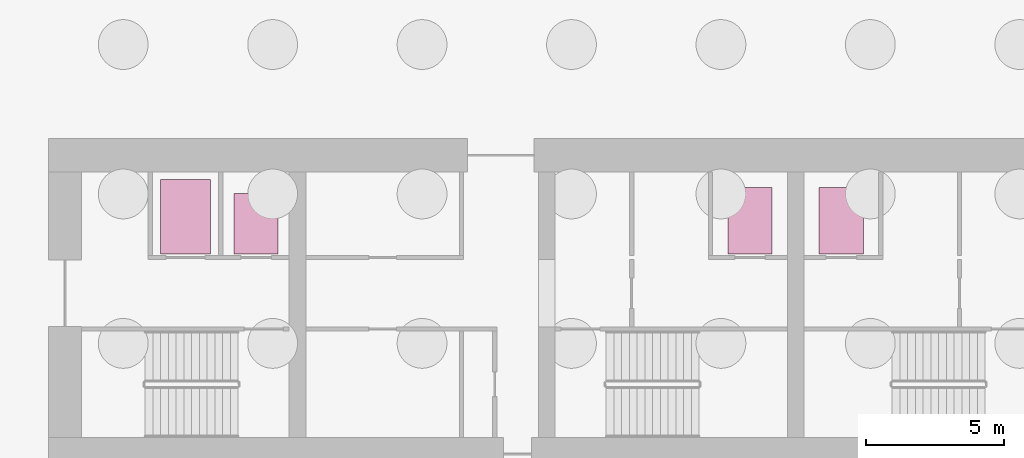
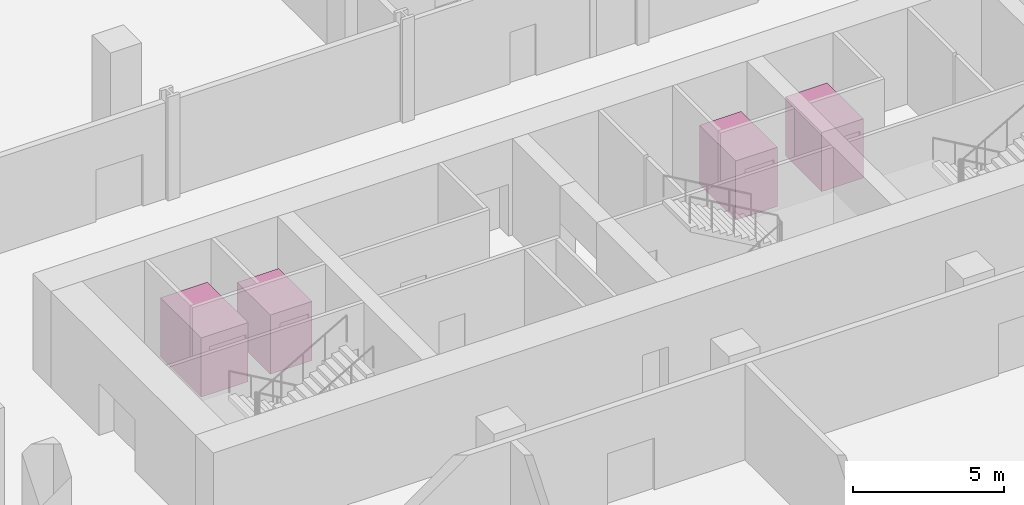
# One storey, part 8 of 8: 4 transport elements.
"""IFC4 building model written with IfcOpenShell, lengths in metres."""

from ifc_helpers import new_model, si_unit, direction, frame, origin, origin_2d, place, context, subcontext, project, spatial, rectangle, extrude, material, type_object, element, save


model = new_model("IFC4")

# Units and contexts
model_context = context("Model", 3, precision=1e-05, world=origin(), true_north=direction((0.0, 1.0)))
body_context = subcontext(model_context, "Body", "Model", "MODEL_VIEW")
ifc_project = project(units=[si_unit("LENGTHUNIT", "METRE"), si_unit("AREAUNIT", "SQUARE_METRE"), si_unit("VOLUMEUNIT", "CUBIC_METRE"), si_unit("PLANEANGLEUNIT", "RADIAN"), si_unit("MASSUNIT", "GRAM", prefix="KILO")], contexts=[model_context])

# Site, building, storey
site_placement = place(None, origin())
site = spatial("IfcSite", under=ifc_project, at=site_placement, CompositionType="ELEMENT")
building_placement = place(site_placement, origin())
building = spatial("IfcBuilding", under=site, at=building_placement, Name="Zellij Exchange Tower", CompositionType="ELEMENT")
storey_placement = place(building_placement, frame((0.0, 0.0, -12.60009765625)))
storey = spatial("IfcBuildingStorey", under=building, at=storey_placement, Name="B3", CompositionType="ELEMENT", Elevation=-12.60009765625)

# Transport elements
ifc_material = material(Name="Stainless steel", Category="steel")
transport_element_type_1 = type_object("IfcTransportElementType", Name="CORE-LIFT Firefighting car 1600x2400 1588 kg", PredefinedType="ELEVATOR", material=ifc_material)
for number, where, z_axis, x_axis, name in (
    (1, (-1.64990234375, -4.97509765625, 0.000244140625), (0.0, 0.0, 1.0), (1.0, 0.0, 0.0), "FF1"),
    (2, (1.64990234375, -4.97509765625, 0.000244140625), (0.0, 0.0, 1.0), (1.0, 0.0, 0.0), "FF2"),
):
    element("IfcTransportElement", number, at=place(storey_placement, frame(where, z_axis=z_axis, x_axis=x_axis)), inside=storey, type_object=transport_element_type_1, Name=name, PredefinedType="ELEVATOR", context=body_context, shape_type="SweptSolid", body=[
        extrude(rectangle(XDim=1.60009765625, YDim=2.39990234375, at=origin_2d()), origin(), (0.0, 0.0, 1.0), 2.39990234375),
    ])
transport_element_type_2 = type_object("IfcTransportElementType", Name="CORE-LIFT Service car 1600x2200 1600 kg", PredefinedType="ELEVATOR", material=ifc_material)
transport_element_1_placement = place(storey_placement, frame((-19.5, -5.074951171875, 0.000244140625), z_axis=(0.0, 0.0, 1.0), x_axis=(1.0, 0.0, 0.0)))
element("IfcTransportElement", 3, at=transport_element_1_placement, inside=storey, type_object=transport_element_type_2, Name="SV2", PredefinedType="ELEVATOR", context=body_context, shape_type="SweptSolid", body=[
    extrude(rectangle(XDim=1.60009765625, YDim=2.199951171875, at=origin_2d()), origin(), (0.0, 0.0, 1.0), 2.39990234375),
])
transport_element_type_3 = type_object("IfcTransportElementType", Name="CORE-LIFT Service car 1800x2700 2500 kg", PredefinedType="ELEVATOR", material=ifc_material)
transport_element_2_placement = place(storey_placement, frame((-22.050048828125, -4.824951171875, 0.000244140625), z_axis=(0.0, 0.0, 1.0), x_axis=(1.0, 0.0, 0.0)))
element("IfcTransportElement", 4, at=transport_element_2_placement, inside=storey, type_object=transport_element_type_3, Name="SV1", PredefinedType="ELEVATOR", context=body_context, shape_type="SweptSolid", body=[
    extrude(rectangle(XDim=1.800048828125, YDim=2.699951171875, at=origin_2d()), origin(), (0.0, 0.0, 1.0), 2.39990234375),
])

save(model, "model.ifc")
